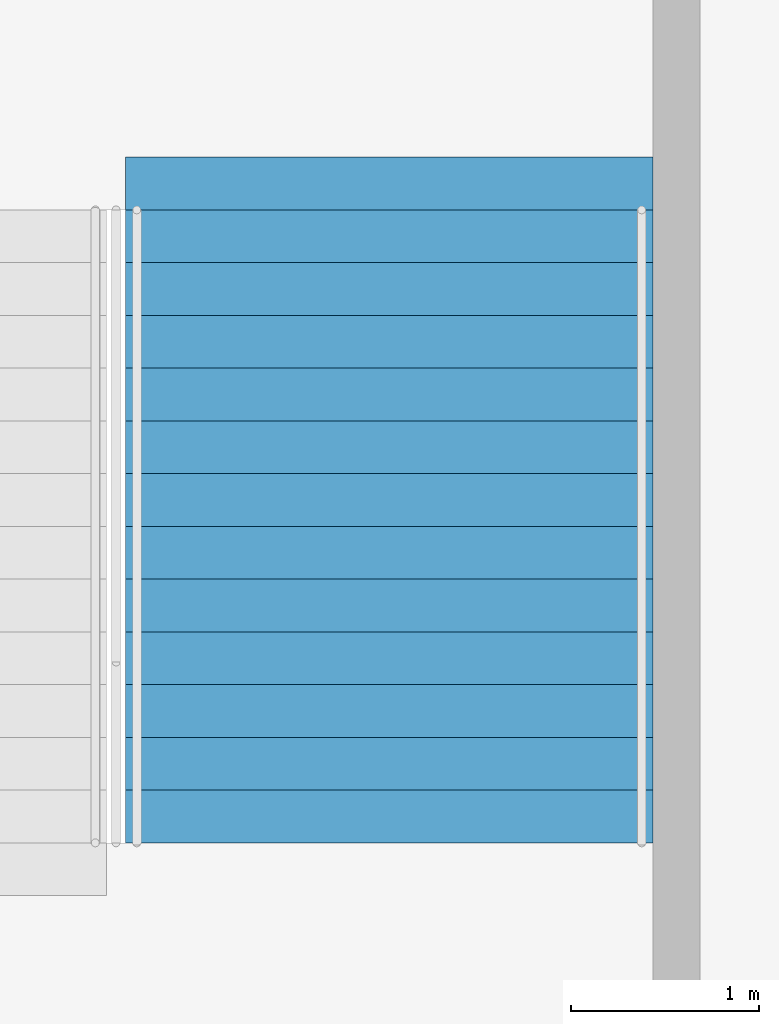
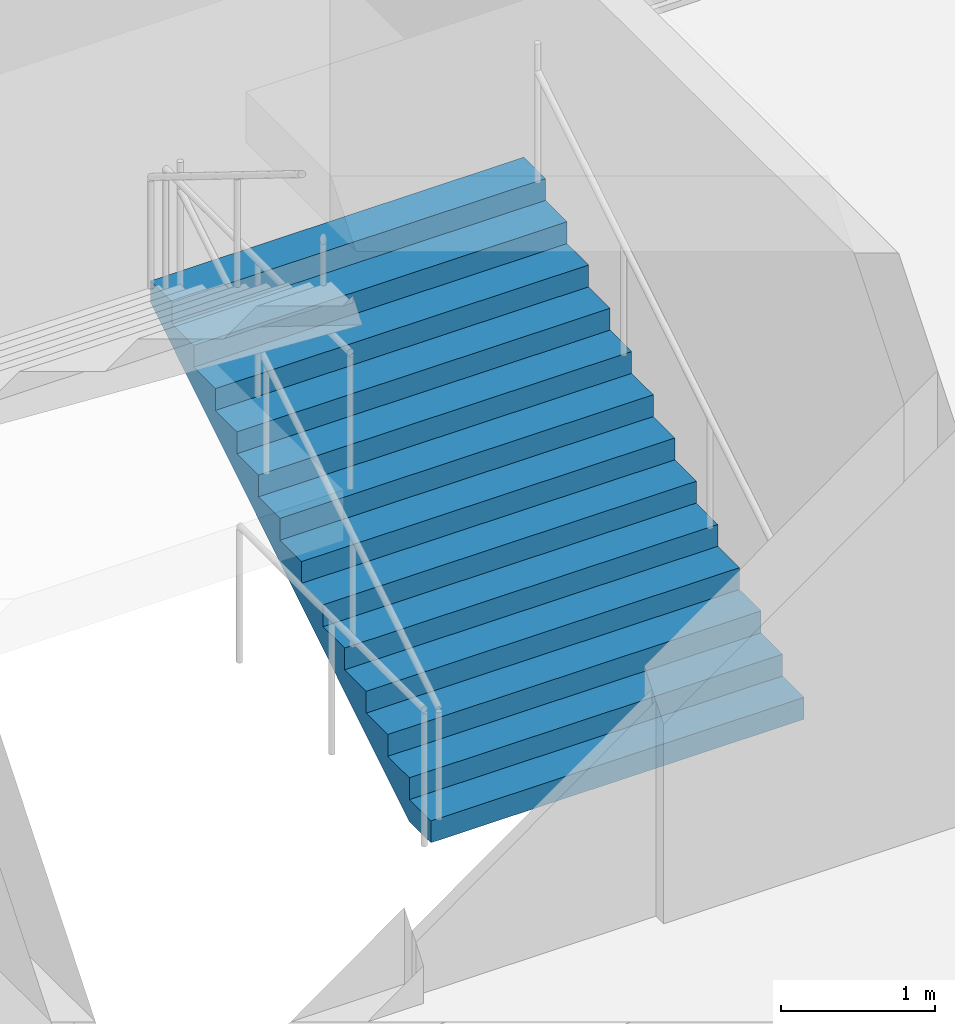
# One storey, part 166 of 199: 1 stair flight, 1 element without a shape of its own.
"""IFC4 building model written with IfcOpenShell, lengths in metres."""

from ifc_helpers import new_model, si_unit, direction, frame, origin, place, context, subcontext, project, spatial, faceted_brep, material, type_object, element, aggregate, save


model = new_model("IFC4")

# Units and contexts
model_context = context("Model", 3, precision=1e-05, world=origin(), true_north=direction((0.0, 1.0)))
body_context = subcontext(model_context, "Body", "Model", "MODEL_VIEW")
ifc_project = project(units=[si_unit("LENGTHUNIT", "METRE"), si_unit("AREAUNIT", "SQUARE_METRE"), si_unit("VOLUMEUNIT", "CUBIC_METRE"), si_unit("PLANEANGLEUNIT", "RADIAN"), si_unit("MASSUNIT", "GRAM", prefix="KILO")], contexts=[model_context])

# Site, building, storey
site_placement = place(None, origin())
site = spatial("IfcSite", under=ifc_project, at=site_placement, CompositionType="ELEMENT")
building_placement = place(site_placement, origin())
building = spatial("IfcBuilding", under=site, at=building_placement, Name="Ogive Plaza Stadium", CompositionType="ELEMENT")
storey_placement = place(building_placement, frame((0.0, 0.0, 9.0)))
storey = spatial("IfcBuildingStorey", under=building, at=storey_placement, Name="L02", CompositionType="ELEMENT", Elevation=9.0)

# Stair, stair flight
ifc_material_1 = material(Name="Concrete C40/50", Category="concrete")
stair_type = type_object("IfcStairType", Name="Exit stair", PredefinedType="STRAIGHT_RUN_STAIR", material=ifc_material_1)
stair_placement = place(storey_placement, origin())
stair = element("IfcStair", 1, at=stair_placement, inside=storey, type_object=stair_type, Name="Exit stair ST34A L02 to L03", PredefinedType="STRAIGHT_RUN_STAIR")
ifc_material_2 = material(Name="Concrete C40/50", Category="concrete")
stair_flight_type = type_object("IfcStairFlightType", Name="Exit stair flight", PredefinedType="STRAIGHT", material=ifc_material_2)
stair_flight_placement = place(storey_placement, frame((-2.375, 94.85009765625, 0.0), z_axis=(0.0, 0.0, 1.0), x_axis=(0.0, 1.0, 0.0)))
stair_flight = element("IfcStairFlight", 2, at=stair_flight_placement, type_object=stair_flight_type, Name="ST34A flight 1", NumberOfRisers=13, NumberOfTreads=12, PredefinedType="STRAIGHT", RiserHeight=0.173076923, TreadLength=0.28, context=body_context, shape_type="Brep", body=[
    faceted_brep([(0.28515625, -1.39990234375, 0.0), (3.639892578125, -1.39990234375, 2.07373046875), (3.639892578125, -1.39990234375, 2.25), (3.360107421875, -1.39990234375, 2.25), (3.360107421875, -1.39990234375, 2.076904296875), (3.080078125, -1.39990234375, 2.076904296875), (3.080078125, -1.39990234375, 1.90380859375), (2.800048828125, -1.39990234375, 1.90380859375), (2.800048828125, -1.39990234375, 1.730712890625), (2.52001953125, -1.39990234375, 1.730712890625), (2.52001953125, -1.39990234375, 1.5576171875), (2.239990234375, -1.39990234375, 1.5576171875), (2.239990234375, -1.39990234375, 1.384521484375), (1.9599609375, -1.39990234375, 1.384521484375), (1.9599609375, -1.39990234375, 1.21142578125), (1.679931640625, -1.39990234375, 1.21142578125), (1.679931640625, -1.39990234375, 1.03857421875), (1.39990234375, -1.39990234375, 1.03857421875), (1.39990234375, -1.39990234375, 0.865478515625), (1.1201171875, -1.39990234375, 0.865478515625), (1.1201171875, -1.39990234375, 0.6923828125), (0.840087890625, -1.39990234375, 0.6923828125), (0.840087890625, -1.39990234375, 0.519287109375), (0.56005859375, -1.39990234375, 0.519287109375), (0.56005859375, -1.39990234375, 0.34619140625), (0.280029296875, -1.39990234375, 0.34619140625), (0.280029296875, -1.39990234375, 0.173095703125), (0.0, -1.39990234375, 0.173095703125), (0.0, -1.39990234375, 0.0), (0.0, 1.39990234375, 0.0), (0.0, 1.39990234375, 0.173095703125), (0.280029296875, 1.39990234375, 0.173095703125), (0.280029296875, 1.39990234375, 0.34619140625), (0.56005859375, 1.39990234375, 0.34619140625), (0.56005859375, 1.39990234375, 0.519287109375), (0.840087890625, 1.39990234375, 0.519287109375), (0.840087890625, 1.39990234375, 0.6923828125), (1.1201171875, 1.39990234375, 0.6923828125), (1.1201171875, 1.39990234375, 0.865478515625), (1.39990234375, 1.39990234375, 0.865478515625), (1.39990234375, 1.39990234375, 1.03857421875), (1.679931640625, 1.39990234375, 1.03857421875), (1.679931640625, 1.39990234375, 1.21142578125), (1.9599609375, 1.39990234375, 1.21142578125), (1.9599609375, 1.39990234375, 1.384521484375), (2.239990234375, 1.39990234375, 1.384521484375), (2.239990234375, 1.39990234375, 1.5576171875), (2.52001953125, 1.39990234375, 1.5576171875), (2.52001953125, 1.39990234375, 1.730712890625), (2.800048828125, 1.39990234375, 1.730712890625), (2.800048828125, 1.39990234375, 1.90380859375), (3.080078125, 1.39990234375, 1.90380859375), (3.080078125, 1.39990234375, 2.076904296875), (3.360107421875, 1.39990234375, 2.076904296875), (3.360107421875, 1.39990234375, 2.25), (3.639892578125, 1.39990234375, 2.25), (3.639892578125, 1.39990234375, 2.07373046875), (0.28515625, 1.39990234375, 0.0), (0.28515625, -1.0888671875, 0.0), (3.639892578125, -1.0888671875, 2.07373046875), (0.28515625, -0.77783203125, 0.0), (3.639892578125, -0.77783203125, 2.07373046875), (0.28515625, -0.466796875, 0.0), (3.639892578125, -0.466796875, 2.07373046875), (0.28515625, -0.155517578125, 0.0), (3.639892578125, -0.155517578125, 2.07373046875), (0.28515625, 0.155517578125, 0.0), (3.639892578125, 0.155517578125, 2.07373046875), (0.28515625, 0.466796875, 0.0), (3.639892578125, 0.466796875, 2.07373046875), (0.28515625, 0.77783203125, 0.0), (3.639892578125, 0.77783203125, 2.07373046875), (0.28515625, 1.0888671875, 0.0), (3.639892578125, 1.0888671875, 2.07373046875), (3.639892578125, -1.0888671875, 2.25), (3.639892578125, -0.77783203125, 2.25), (3.639892578125, -0.466796875, 2.25), (3.639892578125, -0.155517578125, 2.25), (3.639892578125, 0.155517578125, 2.25), (3.639892578125, 0.466796875, 2.25), (3.639892578125, 0.77783203125, 2.25), (3.639892578125, 1.0888671875, 2.25), (3.360107421875, -1.0888671875, 2.25), (3.360107421875, -0.77783203125, 2.25), (3.360107421875, -0.466796875, 2.25), (3.360107421875, -0.155517578125, 2.25), (3.360107421875, 0.155517578125, 2.25), (3.360107421875, 0.466796875, 2.25), (3.360107421875, 0.77783203125, 2.25), (3.360107421875, 1.0888671875, 2.25), (3.360107421875, -1.0888671875, 2.076904296875), (3.360107421875, -0.77783203125, 2.076904296875), (3.360107421875, -0.466796875, 2.076904296875), (3.360107421875, -0.155517578125, 2.076904296875), (3.360107421875, 0.155517578125, 2.076904296875), (3.360107421875, 0.466796875, 2.076904296875), (3.360107421875, 0.77783203125, 2.076904296875), (3.360107421875, 1.0888671875, 2.076904296875), (3.080078125, -1.0888671875, 2.076904296875), (3.080078125, -0.77783203125, 2.076904296875), (3.080078125, -0.466796875, 2.076904296875), (3.080078125, -0.155517578125, 2.076904296875), (3.080078125, 0.155517578125, 2.076904296875), (3.080078125, 0.466796875, 2.076904296875), (3.080078125, 0.77783203125, 2.076904296875), (3.080078125, 1.0888671875, 2.076904296875), (3.080078125, -1.0888671875, 1.90380859375), (3.080078125, -0.77783203125, 1.90380859375), (3.080078125, -0.466796875, 1.90380859375), (3.080078125, -0.155517578125, 1.90380859375), (3.080078125, 0.155517578125, 1.90380859375), (3.080078125, 0.466796875, 1.90380859375), (3.080078125, 0.77783203125, 1.90380859375), (3.080078125, 1.0888671875, 1.90380859375), (2.800048828125, -1.0888671875, 1.90380859375), (2.800048828125, -0.77783203125, 1.90380859375), (2.800048828125, -0.466796875, 1.90380859375), (2.800048828125, -0.155517578125, 1.90380859375), (2.800048828125, 0.155517578125, 1.90380859375), (2.800048828125, 0.466796875, 1.90380859375), (2.800048828125, 0.77783203125, 1.90380859375), (2.800048828125, 1.0888671875, 1.90380859375), (2.800048828125, -1.0888671875, 1.730712890625), (2.800048828125, -0.77783203125, 1.730712890625), (2.800048828125, -0.466796875, 1.730712890625), (2.800048828125, -0.155517578125, 1.730712890625), (2.800048828125, 0.155517578125, 1.730712890625), (2.800048828125, 0.466796875, 1.730712890625), (2.800048828125, 0.77783203125, 1.730712890625), (2.800048828125, 1.0888671875, 1.730712890625), (2.52001953125, -1.0888671875, 1.730712890625), (2.52001953125, -0.77783203125, 1.730712890625), (2.52001953125, -0.466796875, 1.730712890625), (2.52001953125, -0.155517578125, 1.730712890625), (2.52001953125, 0.155517578125, 1.730712890625), (2.52001953125, 0.466796875, 1.730712890625), (2.52001953125, 0.77783203125, 1.730712890625), (2.52001953125, 1.0888671875, 1.730712890625), (2.52001953125, -1.0888671875, 1.5576171875), (2.52001953125, -0.77783203125, 1.5576171875), (2.52001953125, -0.466796875, 1.5576171875), (2.52001953125, -0.155517578125, 1.5576171875), (2.52001953125, 0.155517578125, 1.5576171875), (2.52001953125, 0.466796875, 1.5576171875), (2.52001953125, 0.77783203125, 1.5576171875), (2.52001953125, 1.0888671875, 1.5576171875), (2.239990234375, -1.0888671875, 1.5576171875), (2.239990234375, -0.77783203125, 1.5576171875), (2.239990234375, -0.466796875, 1.5576171875), (2.239990234375, -0.155517578125, 1.5576171875), (2.239990234375, 0.155517578125, 1.5576171875), (2.239990234375, 0.466796875, 1.5576171875), (2.239990234375, 0.77783203125, 1.5576171875), (2.239990234375, 1.0888671875, 1.5576171875), (2.239990234375, -1.0888671875, 1.384521484375), (2.239990234375, -0.77783203125, 1.384521484375), (2.239990234375, -0.466796875, 1.384521484375), (2.239990234375, -0.155517578125, 1.384521484375), (2.239990234375, 0.155517578125, 1.384521484375), (2.239990234375, 0.466796875, 1.384521484375), (2.239990234375, 0.77783203125, 1.384521484375), (2.239990234375, 1.0888671875, 1.384521484375), (1.9599609375, -1.0888671875, 1.384521484375), (1.9599609375, -0.77783203125, 1.384521484375), (1.9599609375, -0.466796875, 1.384521484375), (1.9599609375, -0.155517578125, 1.384521484375), (1.9599609375, 0.155517578125, 1.384521484375), (1.9599609375, 0.466796875, 1.384521484375), (1.9599609375, 0.77783203125, 1.384521484375), (1.9599609375, 1.0888671875, 1.384521484375), (1.9599609375, -1.0888671875, 1.21142578125), (1.9599609375, -0.77783203125, 1.21142578125), (1.9599609375, -0.466796875, 1.21142578125), (1.9599609375, -0.155517578125, 1.21142578125), (1.9599609375, 0.155517578125, 1.21142578125), (1.9599609375, 0.466796875, 1.21142578125), (1.9599609375, 0.77783203125, 1.21142578125), (1.9599609375, 1.0888671875, 1.21142578125), (1.679931640625, -1.0888671875, 1.21142578125), (1.679931640625, -0.77783203125, 1.21142578125), (1.679931640625, -0.466796875, 1.21142578125), (1.679931640625, -0.155517578125, 1.21142578125), (1.679931640625, 0.155517578125, 1.21142578125), (1.679931640625, 0.466796875, 1.21142578125), (1.679931640625, 0.77783203125, 1.21142578125), (1.679931640625, 1.0888671875, 1.21142578125), (1.679931640625, -1.0888671875, 1.03857421875), (1.679931640625, -0.77783203125, 1.03857421875), (1.679931640625, -0.466796875, 1.03857421875), (1.679931640625, -0.155517578125, 1.03857421875), (1.679931640625, 0.155517578125, 1.03857421875), (1.679931640625, 0.466796875, 1.03857421875), (1.679931640625, 0.77783203125, 1.03857421875), (1.679931640625, 1.0888671875, 1.03857421875), (1.39990234375, -1.0888671875, 1.03857421875), (1.39990234375, -0.77783203125, 1.03857421875), (1.39990234375, -0.466796875, 1.03857421875), (1.39990234375, -0.155517578125, 1.03857421875), (1.39990234375, 0.155517578125, 1.03857421875), (1.39990234375, 0.466796875, 1.03857421875), (1.39990234375, 0.77783203125, 1.03857421875), (1.39990234375, 1.0888671875, 1.03857421875), (1.39990234375, -1.0888671875, 0.865478515625), (1.39990234375, -0.77783203125, 0.865478515625), (1.39990234375, -0.466796875, 0.865478515625), (1.39990234375, -0.155517578125, 0.865478515625), (1.39990234375, 0.155517578125, 0.865478515625), (1.39990234375, 0.466796875, 0.865478515625), (1.39990234375, 0.77783203125, 0.865478515625), (1.39990234375, 1.0888671875, 0.865478515625), (1.1201171875, -1.0888671875, 0.865478515625), (1.1201171875, -0.77783203125, 0.865478515625), (1.1201171875, -0.466796875, 0.865478515625), (1.1201171875, -0.155517578125, 0.865478515625), (1.1201171875, 0.155517578125, 0.865478515625), (1.1201171875, 0.466796875, 0.865478515625), (1.1201171875, 0.77783203125, 0.865478515625), (1.1201171875, 1.0888671875, 0.865478515625), (1.1201171875, -1.0888671875, 0.6923828125), (1.1201171875, -0.77783203125, 0.6923828125), (1.1201171875, -0.466796875, 0.6923828125), (1.1201171875, -0.155517578125, 0.6923828125), (1.1201171875, 0.155517578125, 0.6923828125), (1.1201171875, 0.466796875, 0.6923828125), (1.1201171875, 0.77783203125, 0.6923828125), (1.1201171875, 1.0888671875, 0.6923828125), (0.840087890625, -1.0888671875, 0.6923828125), (0.840087890625, -0.77783203125, 0.6923828125), (0.840087890625, -0.466796875, 0.6923828125), (0.840087890625, -0.155517578125, 0.6923828125), (0.840087890625, 0.155517578125, 0.6923828125), (0.840087890625, 0.466796875, 0.6923828125), (0.840087890625, 0.77783203125, 0.6923828125), (0.840087890625, 1.0888671875, 0.6923828125), (0.840087890625, -1.0888671875, 0.519287109375), (0.840087890625, -0.77783203125, 0.519287109375), (0.840087890625, -0.466796875, 0.519287109375), (0.840087890625, -0.155517578125, 0.519287109375), (0.840087890625, 0.155517578125, 0.519287109375), (0.840087890625, 0.466796875, 0.519287109375), (0.840087890625, 0.77783203125, 0.519287109375), (0.840087890625, 1.0888671875, 0.519287109375), (0.56005859375, -1.0888671875, 0.519287109375), (0.56005859375, -0.77783203125, 0.519287109375), (0.56005859375, -0.466796875, 0.519287109375), (0.56005859375, -0.155517578125, 0.519287109375), (0.56005859375, 0.155517578125, 0.519287109375), (0.56005859375, 0.466796875, 0.519287109375), (0.56005859375, 0.77783203125, 0.519287109375), (0.56005859375, 1.0888671875, 0.519287109375), (0.56005859375, -1.0888671875, 0.34619140625), (0.56005859375, -0.77783203125, 0.34619140625), (0.56005859375, -0.466796875, 0.34619140625), (0.56005859375, -0.155517578125, 0.34619140625), (0.56005859375, 0.155517578125, 0.34619140625), (0.56005859375, 0.466796875, 0.34619140625), (0.56005859375, 0.77783203125, 0.34619140625), (0.56005859375, 1.0888671875, 0.34619140625), (0.280029296875, -1.0888671875, 0.34619140625), (0.280029296875, -0.77783203125, 0.34619140625), (0.280029296875, -0.466796875, 0.34619140625), (0.280029296875, -0.155517578125, 0.34619140625), (0.280029296875, 0.155517578125, 0.34619140625), (0.280029296875, 0.466796875, 0.34619140625), (0.280029296875, 0.77783203125, 0.34619140625), (0.280029296875, 1.0888671875, 0.34619140625), (0.280029296875, -1.0888671875, 0.173095703125), (0.280029296875, -0.77783203125, 0.173095703125), (0.280029296875, -0.466796875, 0.173095703125), (0.280029296875, -0.155517578125, 0.173095703125), (0.280029296875, 0.155517578125, 0.173095703125), (0.280029296875, 0.466796875, 0.173095703125), (0.280029296875, 0.77783203125, 0.173095703125), (0.280029296875, 1.0888671875, 0.173095703125), (0.0, -1.0888671875, 0.173095703125), (0.0, -0.77783203125, 0.173095703125), (0.0, -0.466796875, 0.173095703125), (0.0, -0.155517578125, 0.173095703125), (0.0, 0.155517578125, 0.173095703125), (0.0, 0.466796875, 0.173095703125), (0.0, 0.77783203125, 0.173095703125), (0.0, 1.0888671875, 0.173095703125), (0.0, -1.0888671875, 0.0), (0.0, -0.77783203125, 0.0), (0.0, -0.466796875, 0.0), (0.0, -0.155517578125, 0.0), (0.0, 0.155517578125, 0.0), (0.0, 0.466796875, 0.0), (0.0, 0.77783203125, 0.0), (0.0, 1.0888671875, 0.0)], [[[0, 1, 2, 3, 4, 5, 6, 7, 8, 9, 10, 11, 12, 13, 14, 15, 16, 17, 18, 19, 20, 21, 22, 23, 24, 25, 26, 27, 28]], [[29, 30, 31, 32, 33, 34, 35, 36, 37, 38, 39, 40, 41, 42, 43, 44, 45, 46, 47, 48, 49, 50, 51, 52, 53, 54, 55, 56, 57]], [[0, 58, 59, 1]], [[58, 60, 61, 59]], [[60, 62, 63, 61]], [[62, 64, 65, 63]], [[64, 66, 67, 65]], [[66, 68, 69, 67]], [[68, 70, 71, 69]], [[70, 72, 73, 71]], [[72, 57, 56, 73]], [[1, 59, 74, 2]], [[59, 61, 75, 74]], [[61, 63, 76, 75]], [[63, 65, 77, 76]], [[65, 67, 78, 77]], [[67, 69, 79, 78]], [[69, 71, 80, 79]], [[71, 73, 81, 80]], [[73, 56, 55, 81]], [[2, 74, 82, 3]], [[74, 75, 83, 82]], [[75, 76, 84, 83]], [[76, 77, 85, 84]], [[77, 78, 86, 85]], [[78, 79, 87, 86]], [[79, 80, 88, 87]], [[80, 81, 89, 88]], [[81, 55, 54, 89]], [[3, 82, 90, 4]], [[82, 83, 91, 90]], [[83, 84, 92, 91]], [[84, 85, 93, 92]], [[85, 86, 94, 93]], [[86, 87, 95, 94]], [[87, 88, 96, 95]], [[88, 89, 97, 96]], [[89, 54, 53, 97]], [[4, 90, 98, 5]], [[90, 91, 99, 98]], [[91, 92, 100, 99]], [[92, 93, 101, 100]], [[93, 94, 102, 101]], [[94, 95, 103, 102]], [[95, 96, 104, 103]], [[96, 97, 105, 104]], [[97, 53, 52, 105]], [[5, 98, 106, 6]], [[98, 99, 107, 106]], [[99, 100, 108, 107]], [[100, 101, 109, 108]], [[101, 102, 110, 109]], [[102, 103, 111, 110]], [[103, 104, 112, 111]], [[104, 105, 113, 112]], [[105, 52, 51, 113]], [[6, 106, 114, 7]], [[106, 107, 115, 114]], [[107, 108, 116, 115]], [[108, 109, 117, 116]], [[109, 110, 118, 117]], [[110, 111, 119, 118]], [[111, 112, 120, 119]], [[112, 113, 121, 120]], [[113, 51, 50, 121]], [[7, 114, 122, 8]], [[114, 115, 123, 122]], [[115, 116, 124, 123]], [[116, 117, 125, 124]], [[117, 118, 126, 125]], [[118, 119, 127, 126]], [[119, 120, 128, 127]], [[120, 121, 129, 128]], [[121, 50, 49, 129]], [[8, 122, 130, 9]], [[122, 123, 131, 130]], [[123, 124, 132, 131]], [[124, 125, 133, 132]], [[125, 126, 134, 133]], [[126, 127, 135, 134]], [[127, 128, 136, 135]], [[128, 129, 137, 136]], [[129, 49, 48, 137]], [[9, 130, 138, 10]], [[130, 131, 139, 138]], [[131, 132, 140, 139]], [[132, 133, 141, 140]], [[133, 134, 142, 141]], [[134, 135, 143, 142]], [[135, 136, 144, 143]], [[136, 137, 145, 144]], [[137, 48, 47, 145]], [[10, 138, 146, 11]], [[138, 139, 147, 146]], [[139, 140, 148, 147]], [[140, 141, 149, 148]], [[141, 142, 150, 149]], [[142, 143, 151, 150]], [[143, 144, 152, 151]], [[144, 145, 153, 152]], [[145, 47, 46, 153]], [[11, 146, 154, 12]], [[146, 147, 155, 154]], [[147, 148, 156, 155]], [[148, 149, 157, 156]], [[149, 150, 158, 157]], [[150, 151, 159, 158]], [[151, 152, 160, 159]], [[152, 153, 161, 160]], [[153, 46, 45, 161]], [[12, 154, 162, 13]], [[154, 155, 163, 162]], [[155, 156, 164, 163]], [[156, 157, 165, 164]], [[157, 158, 166, 165]], [[158, 159, 167, 166]], [[159, 160, 168, 167]], [[160, 161, 169, 168]], [[161, 45, 44, 169]], [[13, 162, 170, 14]], [[162, 163, 171, 170]], [[163, 164, 172, 171]], [[164, 165, 173, 172]], [[165, 166, 174, 173]], [[166, 167, 175, 174]], [[167, 168, 176, 175]], [[168, 169, 177, 176]], [[169, 44, 43, 177]], [[14, 170, 178, 15]], [[170, 171, 179, 178]], [[171, 172, 180, 179]], [[172, 173, 181, 180]], [[173, 174, 182, 181]], [[174, 175, 183, 182]], [[175, 176, 184, 183]], [[176, 177, 185, 184]], [[177, 43, 42, 185]], [[15, 178, 186, 16]], [[178, 179, 187, 186]], [[179, 180, 188, 187]], [[180, 181, 189, 188]], [[181, 182, 190, 189]], [[182, 183, 191, 190]], [[183, 184, 192, 191]], [[184, 185, 193, 192]], [[185, 42, 41, 193]], [[16, 186, 194, 17]], [[186, 187, 195, 194]], [[187, 188, 196, 195]], [[188, 189, 197, 196]], [[189, 190, 198, 197]], [[190, 191, 199, 198]], [[191, 192, 200, 199]], [[192, 193, 201, 200]], [[193, 41, 40, 201]], [[17, 194, 202, 18]], [[194, 195, 203, 202]], [[195, 196, 204, 203]], [[196, 197, 205, 204]], [[197, 198, 206, 205]], [[198, 199, 207, 206]], [[199, 200, 208, 207]], [[200, 201, 209, 208]], [[201, 40, 39, 209]], [[18, 202, 210, 19]], [[202, 203, 211, 210]], [[203, 204, 212, 211]], [[204, 205, 213, 212]], [[205, 206, 214, 213]], [[206, 207, 215, 214]], [[207, 208, 216, 215]], [[208, 209, 217, 216]], [[209, 39, 38, 217]], [[19, 210, 218, 20]], [[210, 211, 219, 218]], [[211, 212, 220, 219]], [[212, 213, 221, 220]], [[213, 214, 222, 221]], [[214, 215, 223, 222]], [[215, 216, 224, 223]], [[216, 217, 225, 224]], [[217, 38, 37, 225]], [[20, 218, 226, 21]], [[218, 219, 227, 226]], [[219, 220, 228, 227]], [[220, 221, 229, 228]], [[221, 222, 230, 229]], [[222, 223, 231, 230]], [[223, 224, 232, 231]], [[224, 225, 233, 232]], [[225, 37, 36, 233]], [[21, 226, 234, 22]], [[226, 227, 235, 234]], [[227, 228, 236, 235]], [[228, 229, 237, 236]], [[229, 230, 238, 237]], [[230, 231, 239, 238]], [[231, 232, 240, 239]], [[232, 233, 241, 240]], [[233, 36, 35, 241]], [[22, 234, 242, 23]], [[234, 235, 243, 242]], [[235, 236, 244, 243]], [[236, 237, 245, 244]], [[237, 238, 246, 245]], [[238, 239, 247, 246]], [[239, 240, 248, 247]], [[240, 241, 249, 248]], [[241, 35, 34, 249]], [[23, 242, 250, 24]], [[242, 243, 251, 250]], [[243, 244, 252, 251]], [[244, 245, 253, 252]], [[245, 246, 254, 253]], [[246, 247, 255, 254]], [[247, 248, 256, 255]], [[248, 249, 257, 256]], [[249, 34, 33, 257]], [[24, 250, 258, 25]], [[250, 251, 259, 258]], [[251, 252, 260, 259]], [[252, 253, 261, 260]], [[253, 254, 262, 261]], [[254, 255, 263, 262]], [[255, 256, 264, 263]], [[256, 257, 265, 264]], [[257, 33, 32, 265]], [[25, 258, 266, 26]], [[258, 259, 267, 266]], [[259, 260, 268, 267]], [[260, 261, 269, 268]], [[261, 262, 270, 269]], [[262, 263, 271, 270]], [[263, 264, 272, 271]], [[264, 265, 273, 272]], [[265, 32, 31, 273]], [[26, 266, 274, 27]], [[266, 267, 275, 274]], [[267, 268, 276, 275]], [[268, 269, 277, 276]], [[269, 270, 278, 277]], [[270, 271, 279, 278]], [[271, 272, 280, 279]], [[272, 273, 281, 280]], [[273, 31, 30, 281]], [[27, 274, 282, 28]], [[274, 275, 283, 282]], [[275, 276, 284, 283]], [[276, 277, 285, 284]], [[277, 278, 286, 285]], [[278, 279, 287, 286]], [[279, 280, 288, 287]], [[280, 281, 289, 288]], [[281, 30, 29, 289]], [[28, 282, 58, 0]], [[282, 283, 60, 58]], [[283, 284, 62, 60]], [[284, 285, 64, 62]], [[285, 286, 66, 64]], [[286, 287, 68, 66]], [[287, 288, 70, 68]], [[288, 289, 72, 70]], [[289, 29, 57, 72]]]),
])
aggregate(stair, [stair_flight])

save(model, "model.ifc")
